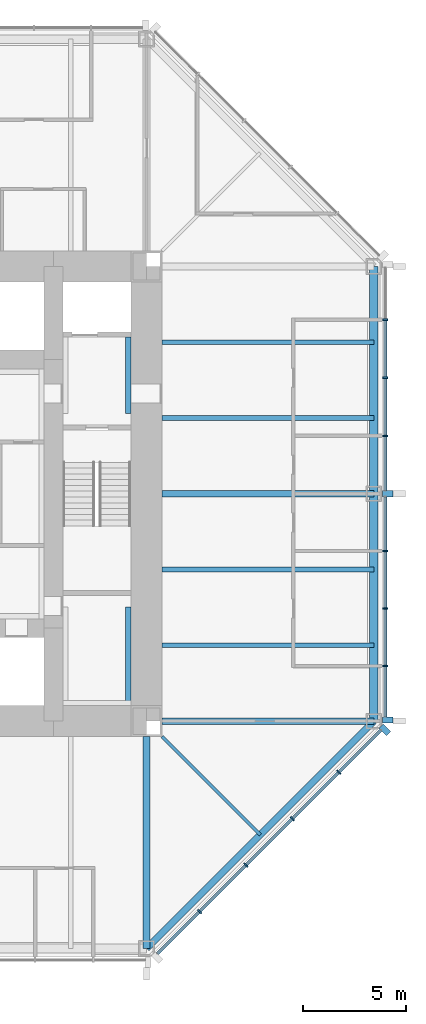
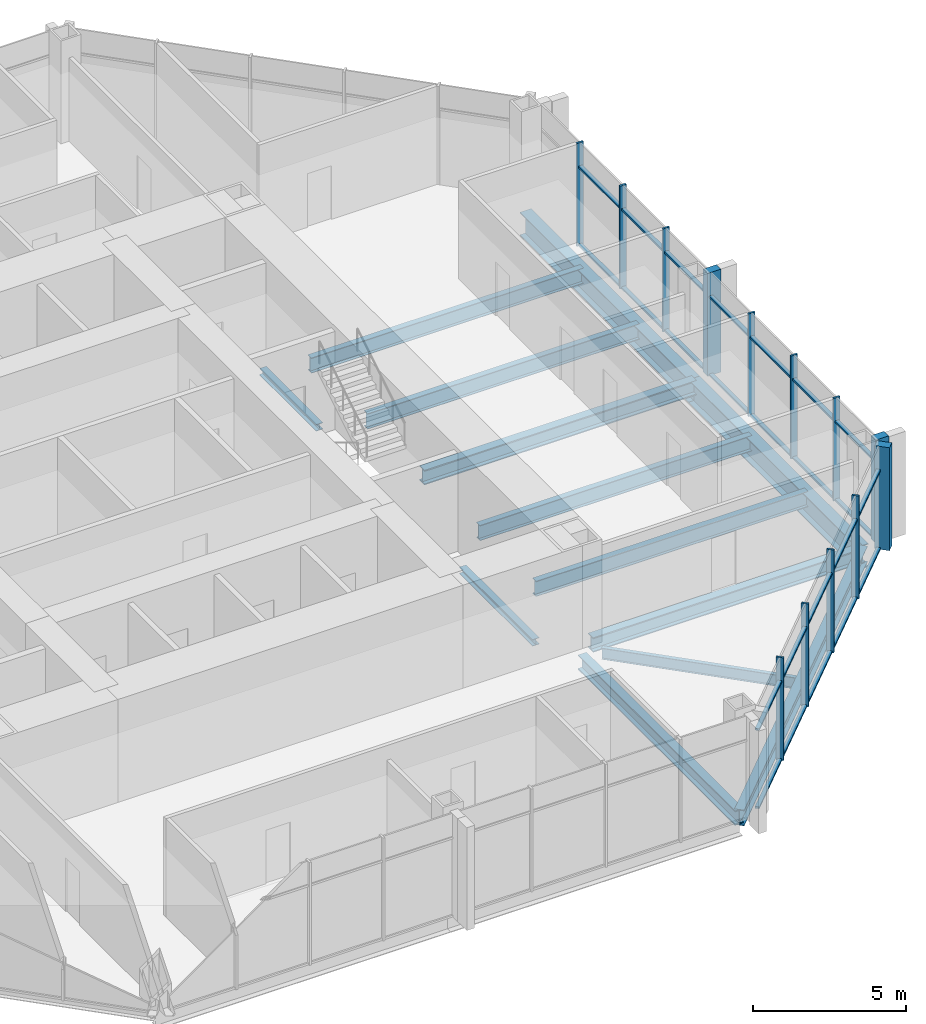
# One storey, part 4 of 12: 37 members, 13 beams, 2 elements without a shape of their own.
"""IFC4 building model written with IfcOpenShell, lengths in metres."""

from ifc_helpers import new_model, si_unit, direction, frame, origin, origin_2d, place, context, subcontext, project, spatial, rectangle, i_section, extrude, material, material_profile, profile_set, type_object, element, aggregate, save


model = new_model("IFC4")

# Units and contexts
model_context = context("Model", 3, precision=1e-05, world=origin(), true_north=direction((0.0, 1.0)))
body_context = subcontext(model_context, "Body", "Model", "MODEL_VIEW")
ifc_project = project(units=[si_unit("LENGTHUNIT", "METRE"), si_unit("AREAUNIT", "SQUARE_METRE"), si_unit("VOLUMEUNIT", "CUBIC_METRE"), si_unit("PLANEANGLEUNIT", "RADIAN"), si_unit("MASSUNIT", "GRAM", prefix="KILO")], contexts=[model_context])

# Site, building, storey
site_placement = place(None, origin())
site = spatial("IfcSite", under=ifc_project, at=site_placement, CompositionType="ELEMENT")
building_placement = place(site_placement, origin())
building = spatial("IfcBuilding", under=site, at=building_placement, Name="Trevanion Tower", CompositionType="ELEMENT")
storey_placement = place(building_placement, frame((0.0, 0.0, 150.0)))
storey = spatial("IfcBuildingStorey", under=building, at=storey_placement, Name="L35", CompositionType="ELEMENT", Elevation=150.0)

# Beams
ifc_material_1 = material(Name="Steel ASTM A992 Grade 50", Category="steel")
ifc_material_profile_1 = material_profile(ifc_material_1, i_section(OverallWidth=0.22900390625, OverallDepth=0.612060546875, WebThickness=0.011962890625, FlangeThickness=0.01953125, at=origin_2d()), Name="W24X84")
ifc_profile_set_1 = profile_set([ifc_material_profile_1], Name="Steel ASTM A992 Grade 50")
beam_type_1 = type_object("IfcBeamType", Name="B7 W24X84", PredefinedType="BEAM", material=ifc_profile_set_1)
for number, where, z_axis, x_axis, name in (
    (1, (11.75, -7.333251953125, -0.49609375), (1.0, 0.0, 0.0), (0.0, 1.0, 0.0), "B7 L35"),
    (2, (11.75, -3.666748046875, -0.49609375), (1.0, 0.0, 0.0), (0.0, 1.0, 0.0), "B7 L35"),
    (3, (11.75, 3.666748046875, -0.49609375), (1.0, 0.0, 0.0), (0.0, 1.0, 0.0), "B7 L35"),
    (4, (11.75, 7.333251953125, -0.49609375), (1.0, 0.0, 0.0), (0.0, 1.0, 0.0), "B7 L35"),
):
    element("IfcBeam", number, at=place(storey_placement, frame(where, z_axis=z_axis, x_axis=x_axis)), inside=storey, type_object=beam_type_1, Name=name, PredefinedType="BEAM", context=body_context, shape_type="SweptSolid", body=[
        extrude(i_section(OverallWidth=0.22900390625, OverallDepth=0.612060546875, WebThickness=0.011962890625, FlangeThickness=0.01953125, at=origin_2d()), origin(), (0.0, 0.0, 1.0), 10.25),
    ])
ifc_material_2 = material(Name="Steel ASTM A992 Grade 50", Category="steel")
ifc_material_profile_2 = material_profile(ifc_material_2, i_section(OverallWidth=0.15234375, OverallDepth=0.449462890625, WebThickness=0.007568359375, FlangeThickness=0.0107421875, at=origin_2d()), Name="W18X35")
ifc_profile_set_2 = profile_set([ifc_material_profile_2], Name="Steel ASTM A992 Grade 50")
beam_type_2 = type_object("IfcBeamType", Name="B8 W18X35", PredefinedType="BEAM", material=ifc_profile_set_2)
beam_1_placement = place(storey_placement, frame((11.75, -11.75, -0.414794921875), z_axis=(0.707106781187, -0.707106781187, 0.0), x_axis=(0.707106781187, 0.707106781187, 0.0)))
element("IfcBeam", 5, at=beam_1_placement, inside=storey, type_object=beam_type_2, Name="B8 L35", PredefinedType="BEAM", context=body_context, shape_type="SweptSolid", body=[
    extrude(i_section(OverallWidth=0.15234375, OverallDepth=0.449462890625, WebThickness=0.007568359375, FlangeThickness=0.0107421875, at=origin_2d()), origin(), (0.0, 0.0, 1.0), 6.717529296875),
])

# Curtain wall, members
ifc_material_3 = material(Name="Aluminium and glass", Category="aluminium")
curtain_wall_type = type_object("IfcCurtainWallType", Name="CW2 curtain wall", PredefinedType="USERDEFINED", material=ifc_material_3)
curtain_wall_1_placement = place(storey_placement, origin())
curtain_wall_1 = element("IfcCurtainWall", 6, at=curtain_wall_1_placement, inside=storey, type_object=curtain_wall_type, Name="CW2 L35 0", ObjectType="UNITISED CURTAIN WALL", PredefinedType="USERDEFINED")
ifc_material_4 = material(Name="Aluminium extrusion, anodised bronze", Category="aluminium")
ifc_material_profile_3 = material_profile(ifc_material_4, rectangle(XDim=0.074951171875, YDim=0.25, at=origin_2d()), Name="CW2 mullion")
ifc_profile_set_3 = profile_set([ifc_material_profile_3], Name="Aluminium extrusion, anodised bronze")
member_type_1 = type_object("IfcMemberType", Name="CW2 mullion", PredefinedType="MULLION", material=ifc_profile_set_3)
member_1_placement = place(storey_placement, frame((22.550048828125, -8.323486328125, -0.18994140625), z_axis=(0.0, 0.0, 1.0), x_axis=(0.0, 1.0, 0.0)))
member_1 = element("IfcMember", 7, at=member_1_placement, type_object=member_type_1, Name="CW2 mullion 2", PredefinedType="MULLION", context=body_context, shape_type="SweptSolid", body=[
    extrude(rectangle(XDim=0.074951171875, YDim=0.25, at=origin_2d()), origin(), (0.0, 0.0, 1.0), 4.099853515625),
])
member_2_placement = place(storey_placement, frame((22.550048828125, -5.548828125, -0.18994140625), z_axis=(0.0, 0.0, 1.0), x_axis=(0.0, 1.0, 0.0)))
member_2 = element("IfcMember", 8, at=member_2_placement, type_object=member_type_1, Name="CW2 mullion 3", PredefinedType="MULLION", context=body_context, shape_type="SweptSolid", body=[
    extrude(rectangle(XDim=0.074951171875, YDim=0.25, at=origin_2d()), origin(), (0.0, 0.0, 1.0), 4.099853515625),
])
member_3_placement = place(storey_placement, frame((22.550048828125, -2.7744140625, -0.18994140625), z_axis=(0.0, 0.0, 1.0), x_axis=(0.0, 1.0, 0.0)))
member_3 = element("IfcMember", 9, at=member_3_placement, type_object=member_type_1, Name="CW2 mullion 4", PredefinedType="MULLION", context=body_context, shape_type="SweptSolid", body=[
    extrude(rectangle(XDim=0.074951171875, YDim=0.25, at=origin_2d()), origin(), (0.0, 0.0, 1.0), 4.099853515625),
])
member_4_placement = place(storey_placement, frame((22.550048828125, 2.806884765625, -0.18994140625), z_axis=(0.0, 0.0, 1.0), x_axis=(0.0, 1.0, 0.0)))
member_4 = element("IfcMember", 10, at=member_4_placement, type_object=member_type_1, Name="CW2 mullion 6", PredefinedType="MULLION", context=body_context, shape_type="SweptSolid", body=[
    extrude(rectangle(XDim=0.074951171875, YDim=0.25, at=origin_2d()), origin(), (0.0, 0.0, 1.0), 4.099853515625),
])
member_5_placement = place(storey_placement, frame((22.550048828125, 5.614013671875, -0.18994140625), z_axis=(0.0, 0.0, 1.0), x_axis=(0.0, 1.0, 0.0)))
member_5 = element("IfcMember", 11, at=member_5_placement, type_object=member_type_1, Name="CW2 mullion 7", PredefinedType="MULLION", context=body_context, shape_type="SweptSolid", body=[
    extrude(rectangle(XDim=0.074951171875, YDim=0.25, at=origin_2d()), origin(), (0.0, 0.0, 1.0), 4.099853515625),
])
member_6_placement = place(storey_placement, frame((22.550048828125, 8.4208984375, -0.18994140625), z_axis=(0.0, 0.0, 1.0), x_axis=(0.0, 1.0, 0.0)))
member_6 = element("IfcMember", 12, at=member_6_placement, type_object=member_type_1, Name="CW2 mullion 8", PredefinedType="MULLION", context=body_context, shape_type="SweptSolid", body=[
    extrude(rectangle(XDim=0.074951171875, YDim=0.25, at=origin_2d()), origin(), (0.0, 0.0, 1.0), 4.099853515625),
])

curtain_wall_2_placement = place(storey_placement, origin())
curtain_wall_2 = element("IfcCurtainWall", 13, at=curtain_wall_2_placement, inside=storey, type_object=curtain_wall_type, Name="CW2 L35 7", ObjectType="UNITISED CURTAIN WALL", PredefinedType="USERDEFINED")
member_7_placement = place(storey_placement, frame((13.56591796875, -20.2119140625, -0.18994140625), z_axis=(0.0, 0.0, 1.0), x_axis=(0.707106781187, 0.707106781187, 0.0)))
member_7 = element("IfcMember", 14, at=member_7_placement, type_object=member_type_1, Name="CW2 mullion 2", PredefinedType="MULLION", context=body_context, shape_type="SweptSolid", body=[
    extrude(rectangle(XDim=0.074951171875, YDim=0.25, at=origin_2d()), origin(), (0.0, 0.0, 1.0), 4.099853515625),
])
member_8_placement = place(storey_placement, frame((15.811767578125, -17.966064453125, -0.18994140625), z_axis=(0.0, 0.0, 1.0), x_axis=(0.707106781187, 0.707106781187, 0.0)))
member_8 = element("IfcMember", 15, at=member_8_placement, type_object=member_type_1, Name="CW2 mullion 3", PredefinedType="MULLION", context=body_context, shape_type="SweptSolid", body=[
    extrude(rectangle(XDim=0.074951171875, YDim=0.25, at=origin_2d()), origin(), (0.0, 0.0, 1.0), 4.099853515625),
])
member_9_placement = place(storey_placement, frame((18.057861328125, -15.719970703125, -0.18994140625), z_axis=(0.0, 0.0, 1.0), x_axis=(0.707106781187, 0.707106781187, 0.0)))
member_9 = element("IfcMember", 16, at=member_9_placement, type_object=member_type_1, Name="CW2 mullion 4", PredefinedType="MULLION", context=body_context, shape_type="SweptSolid", body=[
    extrude(rectangle(XDim=0.074951171875, YDim=0.25, at=origin_2d()), origin(), (0.0, 0.0, 1.0), 4.099853515625),
])
member_10_placement = place(storey_placement, frame((20.303955078125, -13.473876953125, -0.18994140625), z_axis=(0.0, 0.0, 1.0), x_axis=(0.707106781187, 0.707106781187, 0.0)))
member_10 = element("IfcMember", 17, at=member_10_placement, type_object=member_type_1, Name="CW2 mullion 5", PredefinedType="MULLION", context=body_context, shape_type="SweptSolid", body=[
    extrude(rectangle(XDim=0.074951171875, YDim=0.25, at=origin_2d()), origin(), (0.0, 0.0, 1.0), 4.099853515625),
])

# Member
ifc_material_5 = material(Name="Aluminium extrusion, anodised bronze", Category="aluminium")
ifc_material_profile_4 = material_profile(ifc_material_5, rectangle(XDim=0.300048828125, YDim=0.5, at=origin_2d()), Name="CW2 pier mullion")
ifc_profile_set_4 = profile_set([ifc_material_profile_4], Name="Aluminium extrusion, anodised bronze")
member_type_2 = type_object("IfcMemberType", Name="CW2 pier mullion", PredefinedType="MULLION", material=ifc_profile_set_4)
member_11_placement = place(storey_placement, frame((22.675048828125, -10.94775390625, -0.18994140625), z_axis=(0.0, 0.0, 1.0), x_axis=(0.0, 1.0, 0.0)))
member_11 = element("IfcMember", 18, at=member_11_placement, type_object=member_type_2, Name="CW2 pier mullion 1", PredefinedType="MULLION", context=body_context, shape_type="SweptSolid", body=[
    extrude(rectangle(XDim=0.300048828125, YDim=0.5, at=origin_2d()), origin(), (0.0, 0.0, 1.0), 4.099853515625),
])

member_12_placement = place(storey_placement, frame((22.675048828125, 0.0, -0.18994140625), z_axis=(0.0, 0.0, 1.0), x_axis=(0.0, 1.0, 0.0)))
member_12 = element("IfcMember", 19, at=member_12_placement, type_object=member_type_2, Name="CW2 pier mullion 5", PredefinedType="MULLION", context=body_context, shape_type="SweptSolid", body=[
    extrude(rectangle(XDim=0.300048828125, YDim=0.5, at=origin_2d()), origin(), (0.0, 0.0, 1.0), 4.099853515625),
])

member_13_placement = place(storey_placement, frame((22.5322265625, -11.42236328125, -0.18994140625), z_axis=(0.0, 0.0, 1.0), x_axis=(0.707106781187, 0.707106781187, 0.0)))
member_13 = element("IfcMember", 20, at=member_13_placement, type_object=member_type_2, Name="CW2 pier mullion 6", PredefinedType="MULLION", context=body_context, shape_type="SweptSolid", body=[
    extrude(rectangle(XDim=0.300048828125, YDim=0.5, at=origin_2d()), origin(), (0.0, 0.0, 1.0), 4.099853515625),
])

ifc_material_6 = material(Name="Aluminium extrusion, anodised bronze", Category="aluminium")
ifc_material_profile_5 = material_profile(ifc_material_6, rectangle(XDim=0.14990234375, YDim=0.074951171875, at=origin_2d()), Name="CW2 transom")
ifc_profile_set_5 = profile_set([ifc_material_profile_5], Name="Aluminium extrusion, anodised bronze")
member_type_3 = type_object("IfcMemberType", Name="CW2 transom", PredefinedType="USERDEFINED", material=ifc_profile_set_5)
member_14_placement = place(storey_placement, frame((22.550048828125, -10.7978515625, -0.152587890625), z_axis=(0.0, 1.0, 0.0), x_axis=(-1.0, 0.0, 0.0)))
member_14 = element("IfcMember", 21, at=member_14_placement, type_object=member_type_3, Name="CW2 transom 1.1", ObjectType="TRANSOM", PredefinedType="USERDEFINED", context=body_context, shape_type="SweptSolid", body=[
    extrude(rectangle(XDim=0.14990234375, YDim=0.074951171875, at=origin_2d()), origin(), (0.0, 0.0, 1.0), 2.43701171875),
])

member_15_placement = place(storey_placement, frame((22.550048828125, -10.7978515625, 2.9599609375), z_axis=(0.0, 1.0, 0.0), x_axis=(-1.0, 0.0, 0.0)))
member_15 = element("IfcMember", 22, at=member_15_placement, type_object=member_type_3, Name="CW2 transom 1.2", ObjectType="TRANSOM", PredefinedType="USERDEFINED", context=body_context, shape_type="SweptSolid", body=[
    extrude(rectangle(XDim=0.14990234375, YDim=0.074951171875, at=origin_2d()), origin(), (0.0, 0.0, 1.0), 2.43701171875),
])

member_16_placement = place(storey_placement, frame((22.550048828125, -8.285888671875, -0.152587890625), z_axis=(0.0, 1.0, 0.0), x_axis=(-1.0, 0.0, 0.0)))
member_16 = element("IfcMember", 23, at=member_16_placement, type_object=member_type_3, Name="CW2 transom 2.1", ObjectType="TRANSOM", PredefinedType="USERDEFINED", context=body_context, shape_type="SweptSolid", body=[
    extrude(rectangle(XDim=0.14990234375, YDim=0.074951171875, at=origin_2d()), origin(), (0.0, 0.0, 1.0), 2.699462890625),
])

member_17_placement = place(storey_placement, frame((22.550048828125, -8.285888671875, 2.9599609375), z_axis=(0.0, 1.0, 0.0), x_axis=(-1.0, 0.0, 0.0)))
member_17 = element("IfcMember", 24, at=member_17_placement, type_object=member_type_3, Name="CW2 transom 2.2", ObjectType="TRANSOM", PredefinedType="USERDEFINED", context=body_context, shape_type="SweptSolid", body=[
    extrude(rectangle(XDim=0.14990234375, YDim=0.074951171875, at=origin_2d()), origin(), (0.0, 0.0, 1.0), 2.699462890625),
])

member_18_placement = place(storey_placement, frame((22.550048828125, -5.511474609375, -0.152587890625), z_axis=(0.0, 1.0, 0.0), x_axis=(-1.0, 0.0, 0.0)))
member_18 = element("IfcMember", 25, at=member_18_placement, type_object=member_type_3, Name="CW2 transom 3.1", ObjectType="TRANSOM", PredefinedType="USERDEFINED", context=body_context, shape_type="SweptSolid", body=[
    extrude(rectangle(XDim=0.14990234375, YDim=0.074951171875, at=origin_2d()), origin(), (0.0, 0.0, 1.0), 2.699462890625),
])

member_19_placement = place(storey_placement, frame((22.550048828125, -5.511474609375, 2.9599609375), z_axis=(0.0, 1.0, 0.0), x_axis=(-1.0, 0.0, 0.0)))
member_19 = element("IfcMember", 26, at=member_19_placement, type_object=member_type_3, Name="CW2 transom 3.2", ObjectType="TRANSOM", PredefinedType="USERDEFINED", context=body_context, shape_type="SweptSolid", body=[
    extrude(rectangle(XDim=0.14990234375, YDim=0.074951171875, at=origin_2d()), origin(), (0.0, 0.0, 1.0), 2.699462890625),
])

member_20_placement = place(storey_placement, frame((22.550048828125, -2.737060546875, -0.152587890625), z_axis=(0.0, 1.0, 0.0), x_axis=(-1.0, 0.0, 0.0)))
member_20 = element("IfcMember", 27, at=member_20_placement, type_object=member_type_3, Name="CW2 transom 4.1", ObjectType="TRANSOM", PredefinedType="USERDEFINED", context=body_context, shape_type="SweptSolid", body=[
    extrude(rectangle(XDim=0.14990234375, YDim=0.074951171875, at=origin_2d()), origin(), (0.0, 0.0, 1.0), 2.587158203125),
])

member_21_placement = place(storey_placement, frame((22.550048828125, -2.737060546875, 2.9599609375), z_axis=(0.0, 1.0, 0.0), x_axis=(-1.0, 0.0, 0.0)))
member_21 = element("IfcMember", 28, at=member_21_placement, type_object=member_type_3, Name="CW2 transom 4.2", ObjectType="TRANSOM", PredefinedType="USERDEFINED", context=body_context, shape_type="SweptSolid", body=[
    extrude(rectangle(XDim=0.14990234375, YDim=0.074951171875, at=origin_2d()), origin(), (0.0, 0.0, 1.0), 2.587158203125),
])

member_22_placement = place(storey_placement, frame((22.550048828125, 0.14990234375, -0.152587890625), z_axis=(0.0, 1.0, 0.0), x_axis=(-1.0, 0.0, 0.0)))
member_22 = element("IfcMember", 29, at=member_22_placement, type_object=member_type_3, Name="CW2 transom 5.1", ObjectType="TRANSOM", PredefinedType="USERDEFINED", context=body_context, shape_type="SweptSolid", body=[
    extrude(rectangle(XDim=0.14990234375, YDim=0.074951171875, at=origin_2d()), origin(), (0.0, 0.0, 1.0), 2.619384765625),
])

member_23_placement = place(storey_placement, frame((22.550048828125, 0.14990234375, 2.9599609375), z_axis=(0.0, 1.0, 0.0), x_axis=(-1.0, 0.0, 0.0)))
member_23 = element("IfcMember", 30, at=member_23_placement, type_object=member_type_3, Name="CW2 transom 5.2", ObjectType="TRANSOM", PredefinedType="USERDEFINED", context=body_context, shape_type="SweptSolid", body=[
    extrude(rectangle(XDim=0.14990234375, YDim=0.074951171875, at=origin_2d()), origin(), (0.0, 0.0, 1.0), 2.619384765625),
])

member_24_placement = place(storey_placement, frame((22.550048828125, 2.844482421875, -0.152587890625), z_axis=(0.0, 1.0, 0.0), x_axis=(-1.0, 0.0, 0.0)))
member_24 = element("IfcMember", 31, at=member_24_placement, type_object=member_type_3, Name="CW2 transom 6.1", ObjectType="TRANSOM", PredefinedType="USERDEFINED", context=body_context, shape_type="SweptSolid", body=[
    extrude(rectangle(XDim=0.14990234375, YDim=0.074951171875, at=origin_2d()), origin(), (0.0, 0.0, 1.0), 2.73193359375),
])

member_25_placement = place(storey_placement, frame((22.550048828125, 2.844482421875, 2.9599609375), z_axis=(0.0, 1.0, 0.0), x_axis=(-1.0, 0.0, 0.0)))
member_25 = element("IfcMember", 32, at=member_25_placement, type_object=member_type_3, Name="CW2 transom 6.2", ObjectType="TRANSOM", PredefinedType="USERDEFINED", context=body_context, shape_type="SweptSolid", body=[
    extrude(rectangle(XDim=0.14990234375, YDim=0.074951171875, at=origin_2d()), origin(), (0.0, 0.0, 1.0), 2.73193359375),
])

member_26_placement = place(storey_placement, frame((22.550048828125, 5.6513671875, -0.152587890625), z_axis=(0.0, 1.0, 0.0), x_axis=(-1.0, 0.0, 0.0)))
member_26 = element("IfcMember", 33, at=member_26_placement, type_object=member_type_3, Name="CW2 transom 7.1", ObjectType="TRANSOM", PredefinedType="USERDEFINED", context=body_context, shape_type="SweptSolid", body=[
    extrude(rectangle(XDim=0.14990234375, YDim=0.074951171875, at=origin_2d()), origin(), (0.0, 0.0, 1.0), 2.73193359375),
])

member_27_placement = place(storey_placement, frame((22.550048828125, 5.6513671875, 2.9599609375), z_axis=(0.0, 1.0, 0.0), x_axis=(-1.0, 0.0, 0.0)))
member_27 = element("IfcMember", 34, at=member_27_placement, type_object=member_type_3, Name="CW2 transom 7.2", ObjectType="TRANSOM", PredefinedType="USERDEFINED", context=body_context, shape_type="SweptSolid", body=[
    extrude(rectangle(XDim=0.14990234375, YDim=0.074951171875, at=origin_2d()), origin(), (0.0, 0.0, 1.0), 2.73193359375),
])

aggregate(curtain_wall_1, [member_11, member_1, member_2, member_3, member_12, member_4, member_5, member_6, member_14, member_15, member_16, member_17, member_18, member_19, member_20, member_21, member_22, member_23, member_24, member_25, member_26, member_27])

member_28_placement = place(storey_placement, frame((11.531982421875, -22.245849609375, -0.152587890625), z_axis=(0.707106781187, 0.707106781187, 0.0), x_axis=(-0.707106781187, 0.707106781187, 0.0)))
member_28 = element("IfcMember", 35, at=member_28_placement, type_object=member_type_3, Name="CW2 transom 1.1", ObjectType="TRANSOM", PredefinedType="USERDEFINED", context=body_context, shape_type="SweptSolid", body=[
    extrude(rectangle(XDim=0.14990234375, YDim=0.074951171875, at=origin_2d()), origin(), (0.0, 0.0, 1.0), 2.8388671875),
])

member_29_placement = place(storey_placement, frame((11.531982421875, -22.245849609375, 2.9599609375), z_axis=(0.707106781187, 0.707106781187, 0.0), x_axis=(-0.707106781187, 0.707106781187, 0.0)))
member_29 = element("IfcMember", 36, at=member_29_placement, type_object=member_type_3, Name="CW2 transom 1.2", ObjectType="TRANSOM", PredefinedType="USERDEFINED", context=body_context, shape_type="SweptSolid", body=[
    extrude(rectangle(XDim=0.14990234375, YDim=0.074951171875, at=origin_2d()), origin(), (0.0, 0.0, 1.0), 2.8388671875),
])

member_30_placement = place(storey_placement, frame((13.59228515625, -20.185546875, -0.152587890625), z_axis=(0.707106781187, 0.707106781187, 0.0), x_axis=(-0.707106781187, 0.707106781187, 0.0)))
member_30 = element("IfcMember", 37, at=member_30_placement, type_object=member_type_3, Name="CW2 transom 2.1", ObjectType="TRANSOM", PredefinedType="USERDEFINED", context=body_context, shape_type="SweptSolid", body=[
    extrude(rectangle(XDim=0.14990234375, YDim=0.074951171875, at=origin_2d()), origin(), (0.0, 0.0, 1.0), 3.1015625),
])

member_31_placement = place(storey_placement, frame((13.59228515625, -20.185546875, 2.9599609375), z_axis=(0.707106781187, 0.707106781187, 0.0), x_axis=(-0.707106781187, 0.707106781187, 0.0)))
member_31 = element("IfcMember", 38, at=member_31_placement, type_object=member_type_3, Name="CW2 transom 2.2", ObjectType="TRANSOM", PredefinedType="USERDEFINED", context=body_context, shape_type="SweptSolid", body=[
    extrude(rectangle(XDim=0.14990234375, YDim=0.074951171875, at=origin_2d()), origin(), (0.0, 0.0, 1.0), 3.1015625),
])

member_32_placement = place(storey_placement, frame((15.83837890625, -17.939453125, -0.152587890625), z_axis=(0.707106781187, 0.707106781187, 0.0), x_axis=(-0.707106781187, 0.707106781187, 0.0)))
member_32 = element("IfcMember", 39, at=member_32_placement, type_object=member_type_3, Name="CW2 transom 3.1", ObjectType="TRANSOM", PredefinedType="USERDEFINED", context=body_context, shape_type="SweptSolid", body=[
    extrude(rectangle(XDim=0.14990234375, YDim=0.074951171875, at=origin_2d()), origin(), (0.0, 0.0, 1.0), 3.1015625),
])

member_33_placement = place(storey_placement, frame((15.83837890625, -17.939453125, 2.9599609375), z_axis=(0.707106781187, 0.707106781187, 0.0), x_axis=(-0.707106781187, 0.707106781187, 0.0)))
member_33 = element("IfcMember", 40, at=member_33_placement, type_object=member_type_3, Name="CW2 transom 3.2", ObjectType="TRANSOM", PredefinedType="USERDEFINED", context=body_context, shape_type="SweptSolid", body=[
    extrude(rectangle(XDim=0.14990234375, YDim=0.074951171875, at=origin_2d()), origin(), (0.0, 0.0, 1.0), 3.1015625),
])

member_34_placement = place(storey_placement, frame((18.08447265625, -15.693359375, -0.152587890625), z_axis=(0.707106781187, 0.707106781187, 0.0), x_axis=(-0.707106781187, 0.707106781187, 0.0)))
member_34 = element("IfcMember", 41, at=member_34_placement, type_object=member_type_3, Name="CW2 transom 4.1", ObjectType="TRANSOM", PredefinedType="USERDEFINED", context=body_context, shape_type="SweptSolid", body=[
    extrude(rectangle(XDim=0.14990234375, YDim=0.074951171875, at=origin_2d()), origin(), (0.0, 0.0, 1.0), 3.10107421875),
])

member_35_placement = place(storey_placement, frame((18.08447265625, -15.693359375, 2.9599609375), z_axis=(0.707106781187, 0.707106781187, 0.0), x_axis=(-0.707106781187, 0.707106781187, 0.0)))
member_35 = element("IfcMember", 42, at=member_35_placement, type_object=member_type_3, Name="CW2 transom 4.2", ObjectType="TRANSOM", PredefinedType="USERDEFINED", context=body_context, shape_type="SweptSolid", body=[
    extrude(rectangle(XDim=0.14990234375, YDim=0.074951171875, at=origin_2d()), origin(), (0.0, 0.0, 1.0), 3.10107421875),
])

member_36_placement = place(storey_placement, frame((20.33056640625, -13.447509765625, -0.152587890625), z_axis=(0.707063781595, 0.707149778163, 0.0), x_axis=(-0.707149778163, 0.707063781595, 0.0)))
member_36 = element("IfcMember", 43, at=member_36_placement, type_object=member_type_3, Name="CW2 transom 5.1", ObjectType="TRANSOM", PredefinedType="USERDEFINED", context=body_context, shape_type="SweptSolid", body=[
    extrude(rectangle(XDim=0.14990234375, YDim=0.074951171875, at=origin_2d()), origin(), (0.0, 0.0, 1.0), 2.8388671875),
])

member_37_placement = place(storey_placement, frame((20.33056640625, -13.447509765625, 2.9599609375), z_axis=(0.707063781595, 0.707149778163, 0.0), x_axis=(-0.707149778163, 0.707063781595, 0.0)))
member_37 = element("IfcMember", 44, at=member_37_placement, type_object=member_type_3, Name="CW2 transom 5.2", ObjectType="TRANSOM", PredefinedType="USERDEFINED", context=body_context, shape_type="SweptSolid", body=[
    extrude(rectangle(XDim=0.14990234375, YDim=0.074951171875, at=origin_2d()), origin(), (0.0, 0.0, 1.0), 2.8388671875),
])

aggregate(curtain_wall_2, [member_7, member_8, member_9, member_10, member_13, member_28, member_29, member_30, member_31, member_32, member_33, member_34, member_35, member_36, member_37])

# Beams
ifc_material_7 = material(Name="Steel ASTM A992 Grade 50", Category="steel")
ifc_material_profile_6 = material_profile(ifc_material_7, i_section(OverallWidth=0.320068359375, OverallDepth=0.584228515625, WebThickness=0.023193359375, FlangeThickness=0.04150390625, at=origin_2d()), Name="W21X201")
ifc_profile_set_6 = profile_set([ifc_material_profile_6], Name="Steel ASTM A992 Grade 50")
beam_type_3 = type_object("IfcBeamType", Name="G4 W21X201", PredefinedType="BEAM", material=ifc_profile_set_6)
for number, where, z_axis, x_axis, name in (
    (45, (11.75, -11.0, -0.482177734375), (1.0, 0.0, 0.0), (0.0, 1.0, 0.0), "G4 L35"),
    (46, (11.75, 0.0, -0.482177734375), (1.0, 0.0, 0.0), (0.0, 1.0, 0.0), "G4 L35"),
    (47, (11.0, -11.75, -0.482177734375), (0.0, -1.0, 0.0), (1.0, 0.0, 0.0), "G4 L35"),
):
    element("IfcBeam", number, at=place(storey_placement, frame(where, z_axis=z_axis, x_axis=x_axis)), inside=storey, type_object=beam_type_3, Name=name, PredefinedType="BEAM", context=body_context, shape_type="SweptSolid", body=[
        extrude(i_section(OverallWidth=0.320068359375, OverallDepth=0.584228515625, WebThickness=0.023193359375, FlangeThickness=0.04150390625, at=origin_2d()), origin(), (0.0, 0.0, 1.0), 10.25),
    ])
ifc_material_8 = material(Name="Steel ASTM A992 Grade 50", Category="steel")
ifc_material_profile_7 = material_profile(ifc_material_8, i_section(OverallWidth=0.256591796875, OverallDepth=0.26416015625, WebThickness=0.011962890625, FlangeThickness=0.01953125, at=origin_2d()), Name="W10X68")
ifc_profile_set_7 = profile_set([ifc_material_profile_7], Name="Steel ASTM A992 Grade 50")
beam_type_4 = type_object("IfcBeamType", Name="LB1 W10X68", PredefinedType="BEAM", material=ifc_profile_set_7)
beam_2_placement = place(storey_placement, frame((10.12158203125, 3.875, -0.33203125), z_axis=(0.0, 1.0, 0.0), x_axis=(-1.0, 0.0, 0.0)))
element("IfcBeam", 48, at=beam_2_placement, inside=storey, type_object=beam_type_4, Name="LB1 L35", PredefinedType="BEAM", context=body_context, shape_type="SweptSolid", body=[
    extrude(i_section(OverallWidth=0.256591796875, OverallDepth=0.26416015625, WebThickness=0.011962890625, FlangeThickness=0.01953125, at=origin_2d()), origin(), (0.0, 0.0, 1.0), 3.699951171875),
])
beam_3_placement = place(storey_placement, frame((10.12158203125, -10.25, -0.33203125), z_axis=(0.0, 1.0, 0.0), x_axis=(-1.0, 0.0, 0.0)))
element("IfcBeam", 49, at=beam_3_placement, inside=storey, type_object=beam_type_4, Name="LB1 L35", PredefinedType="BEAM", context=body_context, shape_type="SweptSolid", body=[
    extrude(i_section(OverallWidth=0.256591796875, OverallDepth=0.26416015625, WebThickness=0.011962890625, FlangeThickness=0.01953125, at=origin_2d()), origin(), (0.0, 0.0, 1.0), 4.77490234375),
])
ifc_material_9 = material(Name="Steel ASTM A992 Grade 50", Category="steel")
ifc_material_profile_8 = material_profile(ifc_material_9, i_section(OverallWidth=0.419189453125, OverallDepth=0.927001953125, WebThickness=0.019287109375, FlangeThickness=0.031982421875, at=origin_2d()), Name="W36X231")
ifc_profile_set_8 = profile_set([ifc_material_profile_8], Name="Steel ASTM A992 Grade 50")
beam_type_5 = type_object("IfcBeamType", Name="SB4 W36X231", PredefinedType="SPANDREL", material=ifc_profile_set_8)
for number, where, z_axis, x_axis, name in (
    (50, (22.0, -11.0, -0.653564453125), (0.0, 1.0, 0.0), (-1.0, 0.0, 0.0), "SB4 L35"),
    (51, (22.0, 0.0, -0.653564453125), (0.0, 1.0, 0.0), (-1.0, 0.0, 0.0), "SB4 L35"),
):
    element("IfcBeam", number, at=place(storey_placement, frame(where, z_axis=z_axis, x_axis=x_axis)), inside=storey, type_object=beam_type_5, Name=name, PredefinedType="SPANDREL", context=body_context, shape_type="SweptSolid", body=[
        extrude(i_section(OverallWidth=0.419189453125, OverallDepth=0.927001953125, WebThickness=0.019287109375, FlangeThickness=0.031982421875, at=origin_2d()), origin(), (0.0, 0.0, 1.0), 11.0),
    ])
ifc_material_10 = material(Name="Steel ASTM A992 Grade 50", Category="steel")
ifc_material_profile_9 = material_profile(ifc_material_10, i_section(OverallWidth=0.32763671875, OverallDepth=0.62744140625, WebThickness=0.0166015625, FlangeThickness=0.027587890625, at=origin_2d()), Name="W24X146")
ifc_profile_set_9 = profile_set([ifc_material_profile_9], Name="Steel ASTM A992 Grade 50")
beam_type_6 = type_object("IfcBeamType", Name="SB5 W24X146", PredefinedType="SPANDREL", material=ifc_profile_set_9)
beam_4_placement = place(storey_placement, frame((11.0, -22.0, -0.503662109375), z_axis=(0.707106781187, 0.707106781187, 0.0), x_axis=(-0.707106781187, 0.707106781187, 0.0)))
element("IfcBeam", 52, at=beam_4_placement, inside=storey, type_object=beam_type_6, Name="SB5 L35", PredefinedType="SPANDREL", context=body_context, shape_type="SweptSolid", body=[
    extrude(i_section(OverallWidth=0.32763671875, OverallDepth=0.62744140625, WebThickness=0.0166015625, FlangeThickness=0.027587890625, at=origin_2d()), origin(), (0.0, 0.0, 1.0), 15.556396484375),
])

save(model, "model.ifc")
